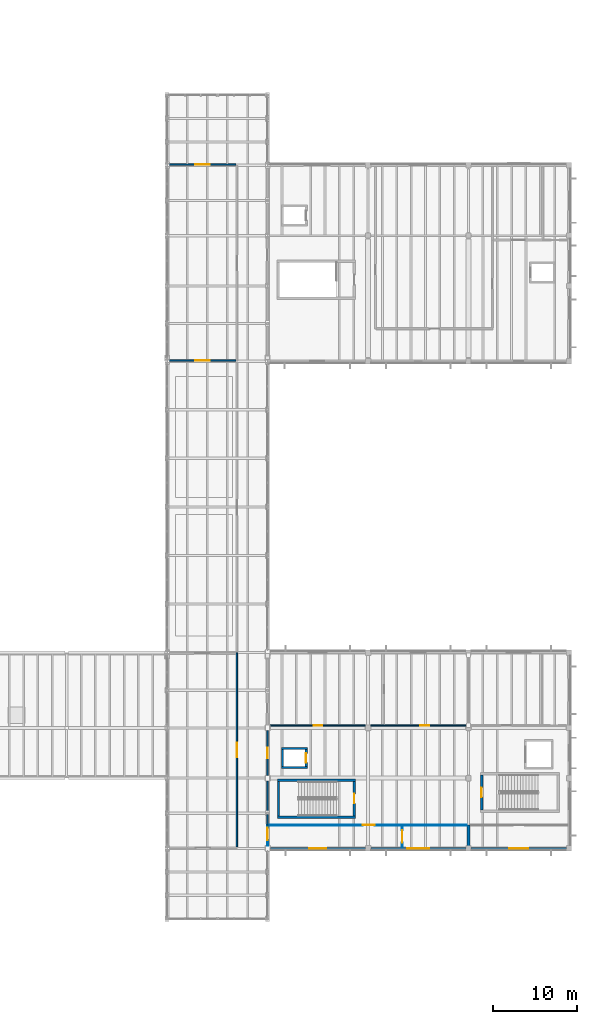
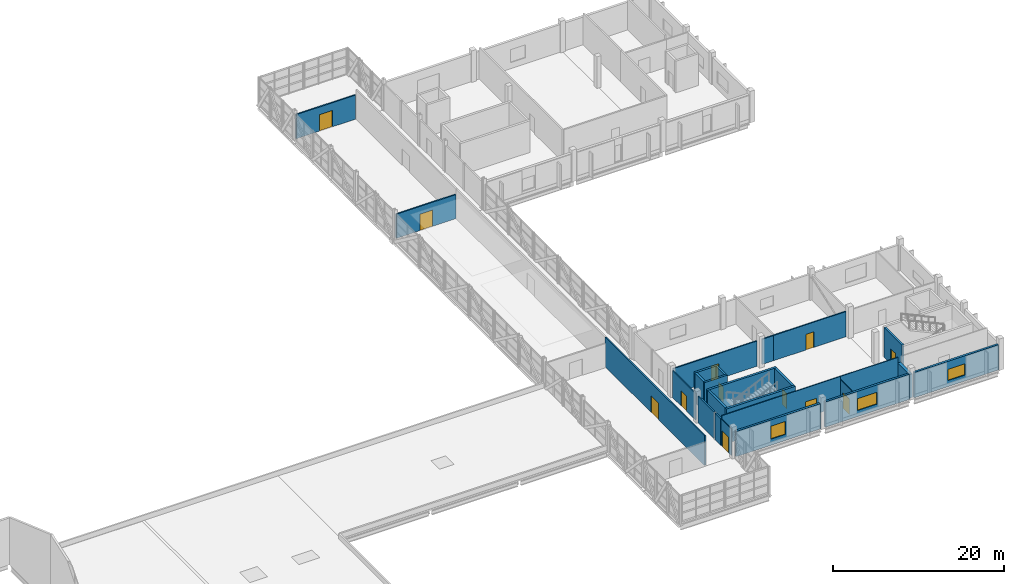
# One storey, part 48 of 63: 26 walls, 12 doors, 3 windows, 15 openings.
"""IFC4 building model written with IfcOpenShell, lengths in metres."""

import ifcopenshell
import ifcopenshell.guid

model = None  # the IFC model being written
_history = None  # IfcOwnerHistory: only IFC2X3 demands one
_inside = {}  # id of a spatial element -> (the spatial element, [elements in it])
_under = {}  # id of a project, library or spatial element -> (it, [spatial elements below it])
_declared = {}  # id of a project -> (the project, [libraries it declares])
_typed = {}  # id of a type object -> (the type object, [elements of that type])
_made_of = {}  # id of a material, layer set ... -> (it, [elements and type objects made of it])


def new_model(schema):
    """Start an empty IFC model of exactly this schema.

    Asked for "IFC4X3", IfcOpenShell would pick the latest addendum, in which some entities
    have other attributes; the version numbers below select the first issue.
    IFC2X3 requires an IfcOwnerHistory on every rooted entity: one is made here for all.
    """
    global model, _history
    if schema == "IFC4X3":
        model = ifcopenshell.file(schema_version=(4, 3, 0, 0))
    else:
        model = ifcopenshell.file(schema=schema)
    _inside.clear()
    _under.clear()
    _declared.clear()
    _typed.clear()
    _made_of.clear()
    _history = None
    if model.schema == "IFC2X3":
        org = make("IfcOrganization", Name="unknown")
        user = make(
            "IfcPersonAndOrganization",
            ThePerson=make("IfcPerson", FamilyName="unknown"),
            TheOrganization=org,
        )
        app = make(
            "IfcApplication",
            ApplicationDeveloper=org,
            Version="unknown",
            ApplicationFullName="unknown",
            ApplicationIdentifier="unknown",
        )
        _history = make(
            "IfcOwnerHistory",
            OwningUser=user,
            OwningApplication=app,
            ChangeAction="ADDED",
            CreationDate=0,
        )
    return model


def make(cls, **values):
    """One entity of the class cls with the attributes given. An attribute that is None is left unset."""
    return model.create_entity(
        cls, **{name: value for name, value in values.items() if value is not None}
    )


def rooted(cls, **values):
    """An entity with a GlobalId (a new one), such as an element, a storey or a relation."""
    return make(cls, GlobalId=ifcopenshell.guid.new(), OwnerHistory=_history, **values)


def si_unit(unit_type, name, prefix=None):
    """IfcSIUnit, for example si_unit("LENGTHUNIT", "METRE", prefix="MILLI")."""
    return make("IfcSIUnit", UnitType=unit_type, Prefix=prefix, Name=name)


def assignment(units):
    """IfcUnitAssignment: the units of a project."""
    return None if units is None else make("IfcUnitAssignment", Units=units)


def point(xyz):
    """IfcCartesianPoint."""
    return None if xyz is None else make("IfcCartesianPoint", Coordinates=xyz)


def direction(xyz):
    """IfcDirection."""
    return None if xyz is None else make("IfcDirection", DirectionRatios=xyz)


def frame(location, z_axis=None, x_axis=None):
    """IfcAxis2Placement3D, a coordinate frame: its origin and axes. An axis left out is left unset."""
    return make(
        "IfcAxis2Placement3D",
        Location=point(location),
        Axis=direction(z_axis),
        RefDirection=direction(x_axis),
    )


def frame_2d(location, x_axis=None):
    """IfcAxis2Placement2D, a coordinate frame in the plane: its origin and x axis."""
    return make(
        "IfcAxis2Placement2D", Location=point(location), RefDirection=direction(x_axis)
    )


def origin():
    """The frame at (0, 0, 0) with its axes left unset."""
    return frame((0.0, 0.0, 0.0))


def place(relative_to, where):
    """IfcLocalPlacement: puts the frame where relative to a parent placement (None: the world)."""
    return make(
        "IfcLocalPlacement", PlacementRelTo=relative_to, RelativePlacement=where
    )


def context(
    kind, dimensions, precision=None, world=None, true_north=None, identifier=None
):
    """IfcGeometricRepresentationContext, for example the 3D "Model" context."""
    return make(
        "IfcGeometricRepresentationContext",
        ContextIdentifier=identifier,
        ContextType=kind,
        CoordinateSpaceDimension=dimensions,
        Precision=precision,
        WorldCoordinateSystem=world,
        TrueNorth=true_north,
    )


def subcontext(parent, identifier, kind, view, scale=None):
    """IfcGeometricRepresentationSubContext, for example "Body" below "Model"."""
    return make(
        "IfcGeometricRepresentationSubContext",
        ContextIdentifier=identifier,
        ContextType=kind,
        ParentContext=parent,
        TargetScale=scale,
        TargetView=view,
    )


def project(units=None, contexts=None):
    """IfcProject with its units and contexts."""
    return rooted(
        "IfcProject",
        Name="project",
        RepresentationContexts=contexts,
        UnitsInContext=assignment(units),
    )


def spatial(cls, under=None, at=None, **own):
    """A site, building, storey or space (cls), placed at a placement, below another one or the project."""
    s = rooted(cls, ObjectPlacement=at, **own)
    if under is not None:
        _under.setdefault(under.id(), (under, []))[1].append(s)
    return s


def profile(cls, at=None, kind="AREA", **sizes):
    """A parametric profile (cls). Its sizes go by their IFC names, for example OverallWidth=200.0."""
    return make(cls, ProfileType=kind, Position=at, **sizes)


def rectangle(**sizes):
    """IfcRectangleProfileDef."""
    return profile("IfcRectangleProfileDef", **sizes)


def extrude(swept, where, along, depth):
    """IfcExtrudedAreaSolid: the profile swept, set in the frame where, extruded along a direction by depth."""
    return make(
        "IfcExtrudedAreaSolid",
        SweptArea=swept,
        Position=where,
        ExtrudedDirection=direction(along),
        Depth=depth,
    )


def shape(context_of_items, identifier, shape_type, items):
    """IfcShapeRepresentation: the items that make up one representation, for example the "Body"."""
    return make(
        "IfcShapeRepresentation",
        ContextOfItems=context_of_items,
        RepresentationIdentifier=identifier,
        RepresentationType=shape_type,
        Items=items,
    )


def material(Name=None, Category=None):
    """IfcMaterial."""
    return make("IfcMaterial", Name=Name, Category=Category)


def layer(
    of_material, thickness, ventilated=None, Name=None, Category=None, Priority=None
):
    """IfcMaterialLayer: one layer of a wall or slab, of a material (None: an air gap)."""
    return make(
        "IfcMaterialLayer",
        Material=of_material,
        LayerThickness=thickness,
        IsVentilated=ventilated,
        Name=Name,
        Category=Category,
        Priority=Priority,
    )


def layer_set(layers, Name=None):
    """IfcMaterialLayerSet."""
    return make("IfcMaterialLayerSet", MaterialLayers=layers, LayerSetName=Name)


def made_of(thing, what):
    """Note that an element or type object is made of a material, layer set ...; save() writes the relation."""
    if what is not None:
        _made_of.setdefault(what.id(), (what, []))[1].append(thing)
    return thing


def type_object(cls, material=None, **own):
    """A type object (cls), such as IfcWallType, which elements share."""
    return made_of(rooted(cls, **own), material)


def element(
    cls,
    number,
    at=None,
    inside=None,
    cuts=None,
    type_object=None,
    material=None,
    context=None,
    identifier="Body",
    shape_type=None,
    held_by="IfcProductDefinitionShape",
    body=None,
    shapes=None,
    **own,
):
    """One element of the class cls, such as IfcWall. Its Tag is "e" and its number.

    at: its placement. inside: the storey or other place that contains it. cuts: it is an
    opening in that element (IfcRelVoidsElement). A single representation is given by context,
    identifier, shape_type and body (its items); several are given by shapes. held_by: the class
    of the entity that holds the representations. save() writes the other relations.
    """
    e = rooted(cls, Tag="e%d" % number, ObjectPlacement=at, **own)
    if body is not None:
        shapes = [shape(context, identifier, shape_type, body)]
    if shapes is not None:
        e.Representation = make(held_by, Representations=shapes)
    if inside is not None:
        _inside.setdefault(inside.id(), (inside, []))[1].append(e)
    if cuts is not None:
        rooted(
            "IfcRelVoidsElement", RelatingBuildingElement=cuts, RelatedOpeningElement=e
        )
    if type_object is not None:
        _typed.setdefault(type_object.id(), (type_object, []))[1].append(e)
    return made_of(e, material)


def fill(opening, filler):
    """IfcRelFillsElement: the door or window that sits in an opening."""
    return rooted(
        "IfcRelFillsElement",
        RelatingOpeningElement=opening,
        RelatedBuildingElement=filler,
    )


def aggregate(whole, parts):
    """IfcRelAggregates: a whole, such as a stair, and the parts it consists of."""
    return rooted("IfcRelAggregates", RelatingObject=whole, RelatedObjects=parts)


def save(model, path):
    """Write the relations noted so far, then the file.

    IfcRelAggregates (storeys below a building ...), IfcRelContainedInSpatialStructure (elements
    in a storey), IfcRelDefinesByType, IfcRelAssociatesMaterial and IfcRelDeclares: one each for
    every whole, place, type object, material and project.
    """
    for whole, parts in _under.values():
        aggregate(whole, parts)
    for where, things in _inside.values():
        rooted(
            "IfcRelContainedInSpatialStructure",
            RelatedElements=things,
            RelatingStructure=where,
        )
    for kind, things in _typed.values():
        rooted("IfcRelDefinesByType", RelatedObjects=things, RelatingType=kind)
    for what, things in _made_of.values():
        rooted("IfcRelAssociatesMaterial", RelatedObjects=things, RelatingMaterial=what)
    for by, libraries in _declared.values():
        rooted("IfcRelDeclares", RelatingContext=by, RelatedDefinitions=libraries)
    model.write(path)


model = new_model("IFC4")

# Units and contexts
model_context = context("Model", 3, precision=1e-05, world=origin(), true_north=direction((0.0, 1.0)))
body_context = subcontext(model_context, "Body", "Model", "MODEL_VIEW")
ifc_project = project(units=[si_unit("LENGTHUNIT", "METRE"), si_unit("AREAUNIT", "SQUARE_METRE"), si_unit("VOLUMEUNIT", "CUBIC_METRE"), si_unit("PLANEANGLEUNIT", "RADIAN"), si_unit("MASSUNIT", "GRAM", prefix="KILO")], contexts=[model_context])

# Site, building, storey
site_placement = place(None, origin())
site = spatial("IfcSite", under=ifc_project, at=site_placement, CompositionType="ELEMENT")
building_placement = place(site_placement, origin())
building = spatial("IfcBuilding", under=site, at=building_placement, Name="Kelmvaro Bay Concert Hall", CompositionType="ELEMENT")
storey_placement = place(building_placement, frame((0.0, 0.0, 13.800048828125)))
storey = spatial("IfcBuildingStorey", under=building, at=storey_placement, Name="L03", CompositionType="ELEMENT", Elevation=13.800048828125)

# Wall, opening, door
ifc_material_1 = material(Name="Acoustic Gypsum Board on Galvanised Steel Studs", Category="steel")
ifc_layer_1 = layer(ifc_material_1, 0.110107421875)
ifc_layer_set_1 = layer_set([ifc_layer_1], Name="Acoustic Gypsum Board on Galvanised Steel Studs")
wall_type_1 = type_object("IfcWallType", Name="Administration Demising Partition 110", PredefinedType="PARTITIONING", material=ifc_layer_set_1)
wall_1_placement = place(storey_placement, frame((132.0, 15.93310546875, 0.0), z_axis=(0.0, 0.0, 1.0), x_axis=(0.0, 1.0, 0.0)))
wall_1 = element("IfcWall", 1, at=wall_1_placement, inside=storey, type_object=wall_type_1, Name="L03 Interior Partition PT-L03-0306", PredefinedType="PARTITIONING", context=body_context, shape_type="SweptSolid", body=[
    extrude(rectangle(XDim=2.451904296875, YDim=0.110107421875, at=frame_2d((1.22607421875, 0.0))), origin(), (0.0, 0.0, 1.0), 3.801025390625),
])
opening_1_placement = place(wall_1_placement, frame((0.652099609375, 0.0, 0.0)))
opening_1 = element("IfcOpeningElement", 2, at=opening_1_placement, cuts=wall_1, Name="Opening ID-AD2", PredefinedType="OPENING", context=body_context, shape_type="SweptSolid", body=[
    extrude(rectangle(XDim=1.47998046875, YDim=2.219970703125, at=frame_2d((0.739990234375, 1.10986328125))), frame((0.0, 0.06494140625, 0.0), z_axis=(0.0, -1.0, 0.0), x_axis=(1.0, 0.0, 0.0)), (0.0, 0.0, 1.0), 0.130126953125),
])
ifc_material_2 = material(Name="Anodised Aluminium and Glass", Category="aluminium")
door_type_1 = type_object("IfcDoorType", Name="Board Salon Double Glazed Door 1480x2220", OperationType="NOTDEFINED", PredefinedType="DOOR", material=ifc_material_2)
door_1_placement = place(opening_1_placement, origin())
door_1 = element("IfcDoor", 3, at=door_1_placement, inside=storey, type_object=door_type_1, Name="L03 Interior Door DR-INT-L03-0177", OperationType="DOUBLE_DOOR_SINGLE_SWING", OverallHeight=2.219970703125, OverallWidth=1.47998046875, PredefinedType="DOOR", context=body_context, shape_type="SweptSolid", body=[
    extrude(rectangle(XDim=1.47998046875, YDim=2.219970703125, at=frame_2d((0.739990234375, 1.10986328125))), frame((0.0, 0.02490234375, 0.0), z_axis=(0.0, -1.0, 0.0), x_axis=(1.0, 0.0, 0.0)), (0.0, 0.0, 1.0), 0.050048828125),
])
fill(opening_1, door_1)

wall_2_placement = place(storey_placement, frame((132.094970703125, 18.3798828125, 0.0), z_axis=(0.0, 0.0, 1.0), x_axis=(1.0, 0.0, 0.0)))
wall_2 = element("IfcWall", 4, at=wall_2_placement, inside=storey, type_object=wall_type_1, Name="L03 Interior Partition PT-L03-0319", PredefinedType="PARTITIONING", context=body_context, shape_type="SweptSolid", body=[
    extrude(rectangle(XDim=15.989990234375, YDim=0.110107421875, at=frame_2d((7.9951171875, 0.0))), origin(), (0.0, 0.0, 1.0), 4.2099609375),
])
opening_2_placement = place(wall_2_placement, frame((11.24609375, 0.0, 0.0)))
opening_2 = element("IfcOpeningElement", 5, at=opening_2_placement, cuts=wall_2, Name="Opening ID-AD2", PredefinedType="OPENING", context=body_context, shape_type="SweptSolid", body=[
    extrude(rectangle(XDim=1.47998046875, YDim=2.219970703125, at=frame_2d((0.739990234375, 1.10986328125))), frame((0.0, 0.06494140625, 0.0), z_axis=(0.0, -1.0, 0.0), x_axis=(1.0, 0.0, 0.0)), (0.0, 0.0, 1.0), 0.130126953125),
])
door_2_placement = place(opening_2_placement, origin())
door_2 = element("IfcDoor", 6, at=door_2_placement, inside=storey, type_object=door_type_1, Name="L03 Interior Door DR-INT-L03-0187", OperationType="DOUBLE_DOOR_SINGLE_SWING", OverallHeight=2.219970703125, OverallWidth=1.47998046875, PredefinedType="DOOR", context=body_context, shape_type="SweptSolid", body=[
    extrude(rectangle(XDim=1.47998046875, YDim=2.219970703125, at=frame_2d((0.739990234375, 1.10986328125))), frame((0.0, 0.02490234375, 0.0), z_axis=(0.0, -1.0, 0.0), x_axis=(1.0, 0.0, 0.0)), (0.0, 0.0, 1.0), 0.050048828125),
])
fill(opening_2, door_2)

# Wall
wall_3_placement = place(storey_placement, frame((148.074951171875, 18.3798828125, 0.0), z_axis=(0.0, 0.0, 1.0), x_axis=(1.0, 0.0, 0.0)))
element("IfcWall", 7, at=wall_3_placement, inside=storey, type_object=wall_type_1, Name="L03 Interior Partition PT-L03-0320", PredefinedType="PARTITIONING", context=body_context, shape_type="SweptSolid", body=[
    extrude(rectangle(XDim=7.72509765625, YDim=0.110107421875, at=frame_2d((3.862548828125, 0.0))), origin(), (0.0, 0.0, 1.0), 4.2099609375),
])

# Wall, opening, door
wall_4_placement = place(storey_placement, frame((148.080078125, 15.75, 0.0), z_axis=(0.0, 0.0, 1.0), x_axis=(0.0, 1.0, 0.0)))
wall_4 = element("IfcWall", 8, at=wall_4_placement, inside=storey, type_object=wall_type_1, Name="L03 Interior Partition PT-L03-0327", PredefinedType="PARTITIONING", context=body_context, shape_type="SweptSolid", body=[
    extrude(rectangle(XDim=2.56494140625, YDim=0.110107421875, at=frame_2d((1.282470703125, 0.0))), origin(), (0.0, 0.0, 1.0), 3.7529296875),
])
opening_3_placement = place(wall_4_placement, frame((0.54248046875, 0.0, 0.0)))
opening_3 = element("IfcOpeningElement", 9, at=opening_3_placement, cuts=wall_4, Name="Opening ID-AD2", PredefinedType="OPENING", context=body_context, shape_type="SweptSolid", body=[
    extrude(rectangle(XDim=1.47998046875, YDim=2.219970703125, at=frame_2d((0.739990234375, 1.10986328125))), frame((0.0, 0.06494140625, 0.0), z_axis=(0.0, -1.0, 0.0), x_axis=(1.0, 0.0, 0.0)), (0.0, 0.0, 1.0), 0.130126953125),
])
door_3_placement = place(opening_3_placement, origin())
door_3 = element("IfcDoor", 10, at=door_3_placement, inside=storey, type_object=door_type_1, Name="L03 Interior Door DR-INT-L03-0193", OperationType="DOUBLE_DOOR_SINGLE_SWING", OverallHeight=2.219970703125, OverallWidth=1.47998046875, PredefinedType="DOOR", context=body_context, shape_type="SweptSolid", body=[
    extrude(rectangle(XDim=1.47998046875, YDim=2.219970703125, at=frame_2d((0.739990234375, 1.10986328125))), frame((0.0, 0.02490234375, 0.0), z_axis=(0.0, -1.0, 0.0), x_axis=(1.0, 0.0, 0.0)), (0.0, 0.0, 1.0), 0.050048828125),
])
fill(opening_3, door_3)

# Walls
ifc_material_3 = material(Name="Acoustic Gypsum Board on Galvanised Steel Studs", Category="steel")
ifc_layer_2 = layer(ifc_material_3, 0.169921875)
ifc_layer_set_2 = layer_set([ifc_layer_2], Name="Acoustic Gypsum Board on Galvanised Steel Studs")
wall_type_2 = type_object("IfcWallType", Name="Corridor Fire Compartment Partition 170", PredefinedType="PARTITIONING", material=ifc_layer_set_2)
wall_5_placement = place(storey_placement, frame((132.0, 18.375, 0.0), z_axis=(0.0, 0.0, 1.0), x_axis=(0.0, 1.0, 0.0)))
element("IfcWall", 11, at=wall_5_placement, inside=storey, type_object=wall_type_2, Name="L03 Interior Partition PT-L03-0303", PredefinedType="PARTITIONING", context=body_context, shape_type="SweptSolid", body=[
    extrude(rectangle(XDim=1.277099609375, YDim=0.169921875, at=frame_2d((0.638671875, 0.0))), origin(), (0.0, 0.0, 1.0), 3.801025390625),
])
wall_6_placement = place(storey_placement, frame((132.0, 19.947998046875, 0.0), z_axis=(0.0, 0.0, 1.0), x_axis=(0.0, 1.0, 0.0)))
element("IfcWall", 12, at=wall_6_placement, inside=storey, type_object=wall_type_2, Name="L03 Interior Partition PT-L03-0304", PredefinedType="PARTITIONING", context=body_context, shape_type="SweptSolid", body=[
    extrude(rectangle(XDim=3.718994140625, YDim=0.169921875, at=frame_2d((1.859375, 0.0))), origin(), (0.0, 0.0, 1.0), 3.801025390625),
])

# Wall, opening, door
wall_7_placement = place(storey_placement, frame((132.0, 24.3330078125, 0.0), z_axis=(0.0, 0.0, 1.0), x_axis=(0.0, 1.0, 0.0)))
wall_7 = element("IfcWall", 13, at=wall_7_placement, inside=storey, type_object=wall_type_2, Name="L03 Interior Partition PT-L03-0305", PredefinedType="PARTITIONING", context=body_context, shape_type="SweptSolid", body=[
    extrude(rectangle(XDim=5.333984375, YDim=0.169921875, at=frame_2d((2.6669921875, 0.0))), origin(), (0.0, 0.0, 1.0), 3.801025390625),
])
opening_4_placement = place(wall_7_placement, frame((2.056884765625, 0.0, 0.0)))
opening_4 = element("IfcOpeningElement", 14, at=opening_4_placement, cuts=wall_7, Name="Opening ID-ST2", PredefinedType="OPENING", context=body_context, shape_type="SweptSolid", body=[
    extrude(rectangle(XDim=1.219970703125, YDim=2.179931640625, at=frame_2d((0.60986328125, 1.08984375))), frame((0.0, 0.094970703125, 0.0), z_axis=(0.0, -1.0, 0.0), x_axis=(1.0, 0.0, 0.0)), (0.0, 0.0, 1.0), 0.18994140625),
])
ifc_material_4 = material(Name="Acoustic Oak and Fire Glass", Category="glass")
door_type_2 = type_object("IfcDoorType", Name="Core Lobby Smoke Control Door 1220x2180", OperationType="NOTDEFINED", PredefinedType="DOOR", material=ifc_material_4)
door_4_placement = place(opening_4_placement, origin())
door_4 = element("IfcDoor", 15, at=door_4_placement, inside=storey, type_object=door_type_2, Name="L03 Interior Door DR-INT-L03-0176", OperationType="SINGLE_SWING_RIGHT", OverallHeight=2.179931640625, OverallWidth=1.219970703125, PredefinedType="DOOR", context=body_context, shape_type="SweptSolid", body=[
    extrude(rectangle(XDim=1.219970703125, YDim=2.179931640625, at=frame_2d((0.60986328125, 1.08984375))), frame((0.0, 0.02490234375, 0.0), z_axis=(0.0, -1.0, 0.0), x_axis=(1.0, 0.0, 0.0)), (0.0, 0.0, 1.0), 0.050048828125),
])
fill(opening_4, door_4)

# Wall
ifc_material_5 = material(Name="Concrete C40/50", Category="concrete")
ifc_layer_3 = layer(ifc_material_5, 0.3798828125)
ifc_layer_set_3 = layer_set([ifc_layer_3], Name="Concrete C40/50")
wall_type_3 = type_object("IfcWallType", Name="Pavilion Brace Bay Shear Wall 380", PredefinedType="SHEAR", material=ifc_layer_set_3)
wall_8_placement = place(storey_placement, frame((156.0, 15.64990234375, 0.0), z_axis=(0.0, 0.0, 1.0), x_axis=(0.0, 1.0, 0.0)))
element("IfcWall", 16, at=wall_8_placement, inside=storey, type_object=wall_type_3, Name="L03 Pavilion Shear Wall Pier", PredefinedType="SHEAR", context=body_context, shape_type="SweptSolid", body=[
    extrude(rectangle(XDim=2.72998046875, YDim=0.3798828125, at=frame_2d((1.364990234375, 0.0))), origin(), (0.0, 0.0, 1.0), 3.3798828125),
])

# Wall, opening, window
ifc_material_6 = material(Name="Precast Concrete C40/50", Category="concrete")
ifc_layer_4 = layer(ifc_material_6, 0.280029296875)
ifc_layer_set_4 = layer_set([ifc_layer_4], Name="Precast Concrete C40/50")
wall_type_4 = type_object("IfcWallType", Name="Percussion Pavilion Precast Wall 280", PredefinedType="SOLIDWALL", material=ifc_layer_set_4)
wall_9_placement = place(storey_placement, frame((143.675048828125, 15.60009765625, 0.0), z_axis=(0.0, 0.0, 1.0), x_axis=(-1.0, 0.0, 0.0)))
wall_9 = element("IfcWall", 17, at=wall_9_placement, inside=storey, type_object=wall_type_4, Name="L03 Exterior Wall EW-L03-0232", PredefinedType="SOLIDWALL", context=body_context, shape_type="SweptSolid", body=[
    extrude(rectangle(XDim=11.35009765625, YDim=0.280029296875, at=frame_2d((5.675048828125, 0.0))), origin(), (0.0, 0.0, 1.0), 3.598876953125),
])
opening_5_placement = place(wall_9_placement, frame((4.675048828125, 0.0, 0.85009765625)))
opening_5 = element("IfcOpeningElement", 18, at=opening_5_placement, cuts=wall_9, Name="Opening WN-16", PredefinedType="OPENING", context=body_context, shape_type="SweptSolid", body=[
    extrude(rectangle(XDim=2.0, YDim=1.85009765625, at=frame_2d((1.0, 0.925048828125))), frame((0.0, 0.14990234375, 0.0), z_axis=(0.0, -1.0, 0.0), x_axis=(1.0, 0.0, 0.0)), (0.0, 0.0, 1.0), 0.300048828125),
])
ifc_material_7 = material(Name="Thermally Broken Aluminium and Acoustic Low-E Glass", Category="aluminium")
window_type_1 = type_object("IfcWindowType", Name="Green Room Garden Window 2000x1850", PartitioningType="SINGLE_PANEL", PredefinedType="WINDOW", material=ifc_material_7)
window_1_placement = place(opening_5_placement, origin())
window_1 = element("IfcWindow", 19, at=window_1_placement, inside=storey, type_object=window_type_1, Name="L03 Facade Window WN-L03-0123", OverallHeight=1.85009765625, OverallWidth=2.0, PartitioningType="SINGLE_PANEL", PredefinedType="WINDOW", context=body_context, shape_type="SweptSolid", body=[
    extrude(rectangle(XDim=2.0, YDim=1.85009765625, at=frame_2d((1.0, 0.925048828125))), frame((0.0, 0.030029296875, 0.0), z_axis=(0.0, -1.0, 0.0), x_axis=(1.0, 0.0, 0.0)), (0.0, 0.0, 1.0), 0.06005859375),
])
fill(opening_5, window_1)

wall_10_placement = place(storey_placement, frame((155.675048828125, 15.60009765625, 0.0), z_axis=(0.0, 0.0, 1.0), x_axis=(-1.0, 0.0, 0.0)))
wall_10 = element("IfcWall", 20, at=wall_10_placement, inside=storey, type_object=wall_type_4, Name="L03 Exterior Wall EW-L03-0233", PredefinedType="SOLIDWALL", context=body_context, shape_type="SweptSolid", body=[
    extrude(rectangle(XDim=11.35009765625, YDim=0.280029296875, at=frame_2d((5.675048828125, 0.0))), origin(), (0.0, 0.0, 1.0), 3.598876953125),
])
opening_6_placement = place(wall_10_placement, frame((4.375, 0.0, 0.85009765625)))
opening_6 = element("IfcOpeningElement", 21, at=opening_6_placement, cuts=wall_10, Name="Opening WN-17", PredefinedType="OPENING", context=body_context, shape_type="SweptSolid", body=[
    extrude(rectangle(XDim=2.60009765625, YDim=1.699951171875, at=frame_2d((1.300048828125, 0.85009765625))), frame((0.0, 0.14990234375, 0.0), z_axis=(0.0, -1.0, 0.0), x_axis=(1.0, 0.0, 0.0)), (0.0, 0.0, 1.0), 0.300048828125),
])
ifc_material_8 = material(Name="Thermally Broken Aluminium and Acoustic Low-E Glass", Category="aluminium")
window_type_2 = type_object("IfcWindowType", Name="Luthiery North-Light Window 2600x1700", PartitioningType="SINGLE_PANEL", PredefinedType="WINDOW", material=ifc_material_8)
window_2_placement = place(opening_6_placement, origin())
window_2 = element("IfcWindow", 22, at=window_2_placement, inside=storey, type_object=window_type_2, Name="L03 Facade Window WN-L03-0124", OverallHeight=1.699951171875, OverallWidth=2.60009765625, PartitioningType="SINGLE_PANEL", PredefinedType="WINDOW", context=body_context, shape_type="SweptSolid", body=[
    extrude(rectangle(XDim=2.60009765625, YDim=1.699951171875, at=frame_2d((1.300048828125, 0.85009765625))), frame((0.0, 0.030029296875, 0.0), z_axis=(0.0, -1.0, 0.0), x_axis=(1.0, 0.0, 0.0)), (0.0, 0.0, 1.0), 0.06005859375),
])
fill(opening_6, window_2)

wall_11_placement = place(storey_placement, frame((167.675048828125, 15.60009765625, 0.0), z_axis=(0.0, 0.0, 1.0), x_axis=(-1.0, 0.0, 0.0)))
wall_11 = element("IfcWall", 23, at=wall_11_placement, inside=storey, type_object=wall_type_4, Name="L03 Exterior Wall EW-L03-0234", PredefinedType="SOLIDWALL", context=body_context, shape_type="SweptSolid", body=[
    extrude(rectangle(XDim=11.35009765625, YDim=0.280029296875, at=frame_2d((5.675048828125, 0.0))), origin(), (0.0, 0.0, 1.0), 3.598876953125),
])
opening_7_placement = place(wall_11_placement, frame((4.52490234375, 0.0, 0.85009765625)))
opening_7 = element("IfcOpeningElement", 24, at=opening_7_placement, cuts=wall_11, Name="Opening WN-18", PredefinedType="OPENING", context=body_context, shape_type="SweptSolid", body=[
    extrude(rectangle(XDim=2.300048828125, YDim=1.60009765625, at=frame_2d((1.14990234375, 0.800048828125))), frame((0.0, 0.14990234375, 0.0), z_axis=(0.0, -1.0, 0.0), x_axis=(1.0, 0.0, 0.0)), (0.0, 0.0, 1.0), 0.300048828125),
])
ifc_material_9 = material(Name="Thermally Broken Aluminium and Acoustic Low-E Glass", Category="aluminium")
window_type_3 = type_object("IfcWindowType", Name="Folio Library Reading Window 2300x1600", PartitioningType="SINGLE_PANEL", PredefinedType="WINDOW", material=ifc_material_9)
window_3_placement = place(opening_7_placement, origin())
window_3 = element("IfcWindow", 25, at=window_3_placement, inside=storey, type_object=window_type_3, Name="L03 Facade Window WN-L03-0125", OverallHeight=1.60009765625, OverallWidth=2.300048828125, PartitioningType="SINGLE_PANEL", PredefinedType="WINDOW", context=body_context, shape_type="SweptSolid", body=[
    extrude(rectangle(XDim=2.300048828125, YDim=1.60009765625, at=frame_2d((1.14990234375, 0.800048828125))), frame((0.0, 0.030029296875, 0.0), z_axis=(0.0, -1.0, 0.0), x_axis=(1.0, 0.0, 0.0)), (0.0, 0.0, 1.0), 0.06005859375),
])
fill(opening_7, window_3)

# Wall, opening, door
ifc_material_10 = material(Name="Acoustic Gypsum Board on Galvanised Steel Studs", Category="steel")
ifc_layer_5 = layer(ifc_material_10, 0.159912109375)
ifc_layer_set_5 = layer_set([ifc_layer_5], Name="Acoustic Gypsum Board on Galvanised Steel Studs")
wall_type_5 = type_object("IfcWallType", Name="Practice Room Acoustic Partition 160", PredefinedType="PARTITIONING", material=ifc_layer_set_5)
wall_12_placement = place(storey_placement, frame((132.3330078125, 30.280029296875, 0.0), z_axis=(0.0, 0.0, 1.0), x_axis=(1.0, 0.0, 0.0)))
wall_12 = element("IfcWall", 26, at=wall_12_placement, inside=storey, type_object=wall_type_5, Name="L03 Interior Partition PT-L03-0322", PredefinedType="PARTITIONING", context=body_context, shape_type="SweptSolid", body=[
    extrude(rectangle(XDim=11.333984375, YDim=0.159912109375, at=frame_2d((5.6669921875, 0.0))), origin(), (0.0, 0.0, 1.0), 3.598876953125),
])
opening_8_placement = place(wall_12_placement, frame((5.1669921875, 0.0, 0.0)))
opening_8 = element("IfcOpeningElement", 27, at=opening_8_placement, cuts=wall_12, Name="Opening ID-PR1", PredefinedType="OPENING", context=body_context, shape_type="SweptSolid", body=[
    extrude(rectangle(XDim=1.0, YDim=2.159912109375, at=frame_2d((0.5, 1.080078125))), frame((0.0, 0.08984375, 0.0), z_axis=(0.0, -1.0, 0.0), x_axis=(1.0, 0.0, 0.0)), (0.0, 0.0, 1.0), 0.179931640625),
])
ifc_material_11 = material(Name="Solid White Oak Acoustic Leaf")
door_type_3 = type_object("IfcDoorType", Name="Practice Studio Acoustic Door 1000x2160", OperationType="NOTDEFINED", PredefinedType="DOOR", material=ifc_material_11)
door_5_placement = place(opening_8_placement, origin())
door_5 = element("IfcDoor", 28, at=door_5_placement, inside=storey, type_object=door_type_3, Name="L03 Interior Door DR-INT-L03-0189", OperationType="SINGLE_SWING_LEFT", OverallHeight=2.159912109375, OverallWidth=1.0, PredefinedType="DOOR", context=body_context, shape_type="SweptSolid", body=[
    extrude(rectangle(XDim=1.0, YDim=2.159912109375, at=frame_2d((0.5, 1.080078125))), frame((0.0, 0.02490234375, 0.0), z_axis=(0.0, -1.0, 0.0), x_axis=(1.0, 0.0, 0.0)), (0.0, 0.0, 1.0), 0.050048828125),
])
fill(opening_8, door_5)

# Wall
wall_13_placement = place(storey_placement, frame((144.3330078125, 30.280029296875, 0.0), z_axis=(0.0, 0.0, 1.0), x_axis=(1.0, 0.0, 0.0)))
element("IfcWall", 29, at=wall_13_placement, inside=storey, type_object=wall_type_5, Name="L03 Interior Partition PT-L03-0323", PredefinedType="PARTITIONING", context=body_context, shape_type="SweptSolid", body=[
    extrude(rectangle(XDim=1.552001953125, YDim=0.159912109375, at=frame_2d((0.77587890625, 0.0))), origin(), (0.0, 0.0, 1.0), 3.598876953125),
])

# Wall, opening, door
wall_14_placement = place(storey_placement, frame((145.875, 30.280029296875, 0.0), z_axis=(0.0, 0.0, 1.0), x_axis=(1.0, 0.0, 0.0)))
wall_14 = element("IfcWall", 30, at=wall_14_placement, inside=storey, type_object=wall_type_5, Name="L03 Interior Partition PT-L03-0324", PredefinedType="PARTITIONING", context=body_context, shape_type="SweptSolid", body=[
    extrude(rectangle(XDim=9.7919921875, YDim=0.159912109375, at=frame_2d((4.89599609375, 0.0))), origin(), (0.0, 0.0, 1.0), 3.598876953125),
])
opening_9_placement = place(wall_14_placement, frame((4.365966796875, 0.0, 0.0)))
opening_9 = element("IfcOpeningElement", 31, at=opening_9_placement, cuts=wall_14, Name="Opening ID-PR2", PredefinedType="OPENING", context=body_context, shape_type="SweptSolid", body=[
    extrude(rectangle(XDim=1.06005859375, YDim=2.219970703125, at=frame_2d((0.530029296875, 1.10986328125))), frame((0.0, 0.08984375, 0.0), z_axis=(0.0, -1.0, 0.0), x_axis=(1.0, 0.0, 0.0)), (0.0, 0.0, 1.0), 0.179931640625),
])
ifc_material_12 = material(Name="Solid White Oak Acoustic Leaf")
door_type_4 = type_object("IfcDoorType", Name="Ensemble Room Acoustic Door 1060x2220", OperationType="NOTDEFINED", PredefinedType="DOOR", material=ifc_material_12)
door_6_placement = place(opening_9_placement, origin())
door_6 = element("IfcDoor", 32, at=door_6_placement, inside=storey, type_object=door_type_4, Name="L03 Interior Door DR-INT-L03-0190", OperationType="SINGLE_SWING_RIGHT", OverallHeight=2.219970703125, OverallWidth=1.06005859375, PredefinedType="DOOR", context=body_context, shape_type="SweptSolid", body=[
    extrude(rectangle(XDim=1.06005859375, YDim=2.219970703125, at=frame_2d((0.530029296875, 1.10986328125))), frame((0.0, 0.02490234375, 0.0), z_axis=(0.0, -1.0, 0.0), x_axis=(1.0, 0.0, 0.0)), (0.0, 0.0, 1.0), 0.050048828125),
])
fill(opening_9, door_6)

ifc_material_13 = material(Name="Acoustic Gypsum Board on Galvanised Steel Studs", Category="steel")
ifc_layer_6 = layer(ifc_material_13, 0.179931640625)
ifc_layer_set_6 = layer_set([ifc_layer_6], Name="Acoustic Gypsum Board on Galvanised Steel Studs")
wall_type_6 = type_object("IfcWallType", Name="Rehearsal Suite Acoustic Partition 180", PredefinedType="PARTITIONING", material=ifc_layer_set_6)
wall_15_placement = place(storey_placement, frame((128.320068359375, 15.780029296875, 0.0), z_axis=(0.0, 0.0, 1.0), x_axis=(0.0, 1.0, 0.0)))
wall_15 = element("IfcWall", 33, at=wall_15_placement, inside=storey, type_object=wall_type_6, Name="L03 Interior Partition PT-L03-0295", PredefinedType="PARTITIONING", context=body_context, shape_type="SweptSolid", body=[
    extrude(rectangle(XDim=23.169921875, YDim=0.179931640625, at=frame_2d((11.5849609375, 0.0))), origin(), (0.0, 0.0, 1.0), 4.239990234375),
])
opening_10_placement = place(wall_15_placement, frame((10.72509765625, 0.0, 0.0)))
opening_10 = element("IfcOpeningElement", 34, at=opening_10_placement, cuts=wall_15, Name="Opening ID-AC4", PredefinedType="OPENING", context=body_context, shape_type="SweptSolid", body=[
    extrude(rectangle(XDim=1.719970703125, YDim=2.340087890625, at=frame_2d((0.85986328125, 1.169921875))), frame((0.0, 0.099853515625, 0.0), z_axis=(0.0, -1.0, 0.0), x_axis=(1.0, 0.0, 0.0)), (0.0, 0.0, 1.0), 0.199951171875),
])
ifc_material_14 = material(Name="Solid White Oak Acoustic Leaf")
door_type_5 = type_object("IfcDoorType", Name="Rehearsal Hall Acoustic Pair Door 1720x2340", OperationType="NOTDEFINED", PredefinedType="DOOR", material=ifc_material_14)
door_7_placement = place(opening_10_placement, origin())
door_7 = element("IfcDoor", 35, at=door_7_placement, inside=storey, type_object=door_type_5, Name="L03 Interior Door DR-INT-L03-0172", OperationType="DOUBLE_DOOR_SINGLE_SWING", OverallHeight=2.340087890625, OverallWidth=1.719970703125, PredefinedType="DOOR", context=body_context, shape_type="SweptSolid", body=[
    extrude(rectangle(XDim=1.719970703125, YDim=2.340087890625, at=frame_2d((0.85986328125, 1.169921875))), frame((0.0, 0.02490234375, 0.0), z_axis=(0.0, -1.0, 0.0), x_axis=(1.0, 0.0, 0.0)), (0.0, 0.0, 1.0), 0.050048828125),
])
fill(opening_10, door_7)

wall_16_placement = place(storey_placement, frame((120.20849609375, 73.8798828125, 0.0), z_axis=(0.0, 0.0, 1.0), x_axis=(1.0, 0.0, 0.0)))
wall_16 = element("IfcWall", 36, at=wall_16_placement, inside=storey, type_object=wall_type_6, Name="L03 Interior Partition PT-L03-0310", PredefinedType="PARTITIONING", context=body_context, shape_type="SweptSolid", body=[
    extrude(rectangle(XDim=8.011474609375, YDim=0.179931640625, at=frame_2d((4.005859375, 0.0))), origin(), (0.0, 0.0, 1.0), 3.43798828125),
])
opening_11_placement = place(wall_16_placement, frame((3.145751953125, 0.0, 0.0)))
opening_11 = element("IfcOpeningElement", 37, at=opening_11_placement, cuts=wall_16, Name="Opening ID-AC4", PredefinedType="OPENING", context=body_context, shape_type="SweptSolid", body=[
    extrude(rectangle(XDim=1.719970703125, YDim=2.340087890625, at=frame_2d((0.85986328125, 1.169921875))), frame((0.0, 0.099853515625, 0.0), z_axis=(0.0, -1.0, 0.0), x_axis=(1.0, 0.0, 0.0)), (0.0, 0.0, 1.0), 0.199951171875),
])
door_8_placement = place(opening_11_placement, origin())
door_8 = element("IfcDoor", 38, at=door_8_placement, inside=storey, type_object=door_type_5, Name="L03 Interior Door DR-INT-L03-0180", OperationType="DOUBLE_DOOR_SINGLE_SWING", OverallHeight=2.340087890625, OverallWidth=1.719970703125, PredefinedType="DOOR", context=body_context, shape_type="SweptSolid", body=[
    extrude(rectangle(XDim=1.719970703125, YDim=2.340087890625, at=frame_2d((0.85986328125, 1.169921875))), frame((0.0, 0.02490234375, 0.0), z_axis=(0.0, -1.0, 0.0), x_axis=(1.0, 0.0, 0.0)), (0.0, 0.0, 1.0), 0.050048828125),
])
fill(opening_11, door_8)

wall_17_placement = place(storey_placement, frame((120.20849609375, 97.280029296875, 0.0), z_axis=(0.0, 0.0, 1.0), x_axis=(1.0, 0.0, 0.0)))
wall_17 = element("IfcWall", 39, at=wall_17_placement, inside=storey, type_object=wall_type_6, Name="L03 Interior Partition PT-L03-0311", PredefinedType="PARTITIONING", context=body_context, shape_type="SweptSolid", body=[
    extrude(rectangle(XDim=8.011474609375, YDim=0.179931640625, at=frame_2d((4.005859375, 0.0))), origin(), (0.0, 0.0, 1.0), 3.43798828125),
])
opening_12_placement = place(wall_17_placement, frame((3.145751953125, 0.0, 0.0)))
opening_12 = element("IfcOpeningElement", 40, at=opening_12_placement, cuts=wall_17, Name="Opening ID-AC4", PredefinedType="OPENING", context=body_context, shape_type="SweptSolid", body=[
    extrude(rectangle(XDim=1.719970703125, YDim=2.340087890625, at=frame_2d((0.85986328125, 1.169921875))), frame((0.0, 0.099853515625, 0.0), z_axis=(0.0, -1.0, 0.0), x_axis=(1.0, 0.0, 0.0)), (0.0, 0.0, 1.0), 0.199951171875),
])
door_9_placement = place(opening_12_placement, origin())
door_9 = element("IfcDoor", 41, at=door_9_placement, inside=storey, type_object=door_type_5, Name="L03 Interior Door DR-INT-L03-0181", OperationType="DOUBLE_DOOR_SINGLE_SWING", OverallHeight=2.340087890625, OverallWidth=1.719970703125, PredefinedType="DOOR", context=body_context, shape_type="SweptSolid", body=[
    extrude(rectangle(XDim=1.719970703125, YDim=2.340087890625, at=frame_2d((0.85986328125, 1.169921875))), frame((0.0, 0.02490234375, 0.0), z_axis=(0.0, -1.0, 0.0), x_axis=(1.0, 0.0, 0.0)), (0.0, 0.0, 1.0), 0.050048828125),
])
fill(opening_12, door_9)

# Walls
ifc_material_15 = material(Name="Concrete C40/50", Category="concrete")
ifc_layer_7 = layer(ifc_material_15, 0.27001953125)
ifc_layer_set_7 = layer_set([ifc_layer_7], Name="Concrete C40/50")
wall_type_7 = type_object("IfcWallType", Name="Secondary Shaft Shear Wall 270", PredefinedType="SHEAR", material=ifc_layer_set_7)
for number, where, z_axis, x_axis, name in (
    (42, (133.655029296875, 25.264892578125, 0.0), (0.0, 0.0, 1.0), (1.0, 0.0, 0.0), "L03 LF-07 Lift Shaft Wall S"),
    (43, (133.655029296875, 27.534912109375, 0.0), (0.0, 0.0, 1.0), (1.0, 0.0, 0.0), "L03 LF-07 Lift Shaft Wall N"),
):
    element("IfcWall", number, at=place(storey_placement, frame(where, z_axis=z_axis, x_axis=x_axis)), inside=storey, type_object=wall_type_7, Name=name, PredefinedType="SHEAR", context=body_context, shape_type="SweptSolid", body=[
        extrude(rectangle(XDim=3.090087890625, YDim=0.27001953125, at=frame_2d((1.544921875, 0.0))), origin(), (0.0, 0.0, 1.0), 4.22998046875),
    ])
wall_18_placement = place(storey_placement, frame((133.7900390625, 25.39990234375, 0.0), z_axis=(0.0, 0.0, 1.0), x_axis=(0.0, 1.0, 0.0)))
element("IfcWall", 44, at=wall_18_placement, inside=storey, type_object=wall_type_7, Name="L03 LF-07 Lift Shaft Wall W", PredefinedType="SHEAR", context=body_context, shape_type="SweptSolid", body=[
    extrude(rectangle(XDim=2.0, YDim=0.27001953125, at=frame_2d((1.0, 0.0))), origin(), (0.0, 0.0, 1.0), 4.22998046875),
])

# Wall, opening, door
wall_19_placement = place(storey_placement, frame((136.610107421875, 25.39990234375, 0.0), z_axis=(0.0, 0.0, 1.0), x_axis=(0.0, 1.0, 0.0)))
wall_19 = element("IfcWall", 45, at=wall_19_placement, inside=storey, type_object=wall_type_7, Name="L03 LF-07 Lift Shaft Wall E", PredefinedType="SHEAR", context=body_context, shape_type="SweptSolid", body=[
    extrude(rectangle(XDim=2.0, YDim=0.27001953125, at=frame_2d((1.0, 0.0))), origin(), (0.0, 0.0, 1.0), 4.22998046875),
])
opening_13_placement = place(wall_19_placement, frame((0.43994140625, 0.0, 0.0)))
opening_13 = element("IfcOpeningElement", 46, at=opening_13_placement, cuts=wall_19, Name="Opening LD-112", PredefinedType="OPENING", context=body_context, shape_type="SweptSolid", body=[
    extrude(rectangle(XDim=1.1201171875, YDim=2.14990234375, at=frame_2d((0.56005859375, 1.074951171875))), frame((0.0, 0.14501953125, 0.0), z_axis=(0.0, -1.0, 0.0), x_axis=(1.0, 0.0, 0.0)), (0.0, 0.0, 1.0), 0.2900390625),
])
ifc_material_16 = material(Name="Brushed Stainless Steel 316", Category="steel")
door_type_6 = type_object("IfcDoorType", Name="Passenger Lift Sliding Landing Door 1120x2150", OperationType="NOTDEFINED", PredefinedType="DOOR", material=ifc_material_16)
door_10_placement = place(opening_13_placement, origin())
door_10 = element("IfcDoor", 47, at=door_10_placement, inside=storey, type_object=door_type_6, Name="L03 Lift Landing Door LF-07", OperationType="SLIDING_TO_LEFT", OverallHeight=2.14990234375, OverallWidth=1.1201171875, PredefinedType="DOOR", context=body_context, shape_type="SweptSolid", body=[
    extrude(rectangle(XDim=1.1201171875, YDim=2.14990234375, at=frame_2d((0.56005859375, 1.074951171875))), frame((0.0, 0.02490234375, 0.0), z_axis=(0.0, -1.0, 0.0), x_axis=(1.0, 0.0, 0.0)), (0.0, 0.0, 1.0), 0.050048828125),
])
fill(opening_13, door_10)

# Walls
ifc_material_17 = material(Name="Concrete C40/50", Category="concrete")
ifc_layer_8 = layer(ifc_material_17, 0.2900390625)
ifc_layer_set_8 = layer_set([ifc_layer_8], Name="Concrete C40/50")
wall_type_8 = type_object("IfcWallType", Name="Stair and Lift Core Shear Wall 290", PredefinedType="SHEAR", material=ifc_layer_set_8)
for number, where, z_axis, x_axis, name in (
    (48, (133.159912109375, 19.344970703125, 0.0), (0.0, 0.0, 1.0), (1.0, 0.0, 0.0), "L03 ST-05 Core Shear Wall S"),
    (49, (133.159912109375, 23.7451171875, 0.0), (0.0, 0.0, 1.0), (1.0, 0.0, 0.0), "L03 ST-05 Core Shear Wall N"),
):
    element("IfcWall", number, at=place(storey_placement, frame(where, z_axis=z_axis, x_axis=x_axis)), inside=storey, type_object=wall_type_8, Name=name, PredefinedType="SHEAR", context=body_context, shape_type="SweptSolid", body=[
        extrude(rectangle(XDim=9.330078125, YDim=0.2900390625, at=frame_2d((4.6650390625, 0.0))), origin(), (0.0, 0.0, 1.0), 4.22998046875),
    ])
wall_20_placement = place(storey_placement, frame((133.304931640625, 19.489990234375, 0.0), z_axis=(0.0, 0.0, 1.0), x_axis=(0.0, 1.0, 0.0)))
element("IfcWall", 50, at=wall_20_placement, inside=storey, type_object=wall_type_8, Name="L03 ST-05 Core Shear Wall W", PredefinedType="SHEAR", context=body_context, shape_type="SweptSolid", body=[
    extrude(rectangle(XDim=4.110107421875, YDim=0.2900390625, at=frame_2d((2.05517578125, 0.0))), origin(), (0.0, 0.0, 1.0), 4.22998046875),
])

# Wall, opening, door
wall_21_placement = place(storey_placement, frame((142.344970703125, 19.489990234375, 0.0), z_axis=(0.0, 0.0, 1.0), x_axis=(0.0, 1.0, 0.0)))
wall_21 = element("IfcWall", 51, at=wall_21_placement, inside=storey, type_object=wall_type_8, Name="L03 ST-05 Core Shear Wall E", PredefinedType="SHEAR", context=body_context, shape_type="SweptSolid", body=[
    extrude(rectangle(XDim=4.110107421875, YDim=0.2900390625, at=frame_2d((2.05517578125, 0.0))), origin(), (0.0, 0.0, 1.0), 4.22998046875),
])
opening_14_placement = place(wall_21_placement, frame((1.47998046875, 0.0, 0.0)))
opening_14 = element("IfcOpeningElement", 52, at=opening_14_placement, cuts=wall_21, Name="Opening ID-ST1", PredefinedType="OPENING", context=body_context, shape_type="SweptSolid", body=[
    extrude(rectangle(XDim=1.14990234375, YDim=2.14990234375, at=frame_2d((0.574951171875, 1.074951171875))), frame((0.0, 0.155029296875, 0.0), z_axis=(0.0, -1.0, 0.0), x_axis=(1.0, 0.0, 0.0)), (0.0, 0.0, 1.0), 0.31005859375),
])
ifc_material_18 = material(Name="Fire-Rated Galvanised Steel", Category="steel")
door_type_7 = type_object("IfcDoorType", Name="Exit Stair Fire Door 1150x2150", OperationType="NOTDEFINED", PredefinedType="DOOR", material=ifc_material_18)
door_11_placement = place(opening_14_placement, origin())
door_11 = element("IfcDoor", 53, at=door_11_placement, inside=storey, type_object=door_type_7, Name="L03 ST-05 Stair Fire Door", OperationType="SINGLE_SWING_LEFT", OverallHeight=2.14990234375, OverallWidth=1.14990234375, PredefinedType="DOOR", context=body_context, shape_type="SweptSolid", body=[
    extrude(rectangle(XDim=1.14990234375, YDim=2.14990234375, at=frame_2d((0.574951171875, 1.074951171875))), frame((0.0, 0.02490234375, 0.0), z_axis=(0.0, -1.0, 0.0), x_axis=(1.0, 0.0, 0.0)), (0.0, 0.0, 1.0), 0.050048828125),
])
fill(opening_14, door_11)

wall_22_placement = place(storey_placement, frame((157.554931640625, 20.199951171875, 0.0), z_axis=(0.0, 0.0, 1.0), x_axis=(0.0, 1.0, 0.0)))
wall_22 = element("IfcWall", 54, at=wall_22_placement, inside=storey, type_object=wall_type_8, Name="L03 ST-06 Core Shear Wall W", PredefinedType="SHEAR", context=body_context, shape_type="SweptSolid", body=[
    extrude(rectangle(XDim=4.18994140625, YDim=0.2900390625, at=frame_2d((2.094970703125, 0.0))), origin(), (0.0, 0.0, 1.0), 4.22998046875),
])
opening_15_placement = place(wall_22_placement, frame((1.52001953125, 0.0, 0.0)))
opening_15 = element("IfcOpeningElement", 55, at=opening_15_placement, cuts=wall_22, Name="Opening ID-ST1", PredefinedType="OPENING", context=body_context, shape_type="SweptSolid", body=[
    extrude(rectangle(XDim=1.14990234375, YDim=2.14990234375, at=frame_2d((0.574951171875, 1.074951171875))), frame((0.0, 0.155029296875, 0.0), z_axis=(0.0, -1.0, 0.0), x_axis=(1.0, 0.0, 0.0)), (0.0, 0.0, 1.0), 0.31005859375),
])
door_12_placement = place(opening_15_placement, origin())
door_12 = element("IfcDoor", 56, at=door_12_placement, inside=storey, type_object=door_type_7, Name="L03 ST-06 Stair Fire Door", OperationType="SINGLE_SWING_RIGHT", OverallHeight=2.14990234375, OverallWidth=1.14990234375, PredefinedType="DOOR", context=body_context, shape_type="SweptSolid", body=[
    extrude(rectangle(XDim=1.14990234375, YDim=2.14990234375, at=frame_2d((0.574951171875, 1.074951171875))), frame((0.0, 0.02490234375, 0.0), z_axis=(0.0, -1.0, 0.0), x_axis=(1.0, 0.0, 0.0)), (0.0, 0.0, 1.0), 0.050048828125),
])
fill(opening_15, door_12)

save(model, "model.ifc")
